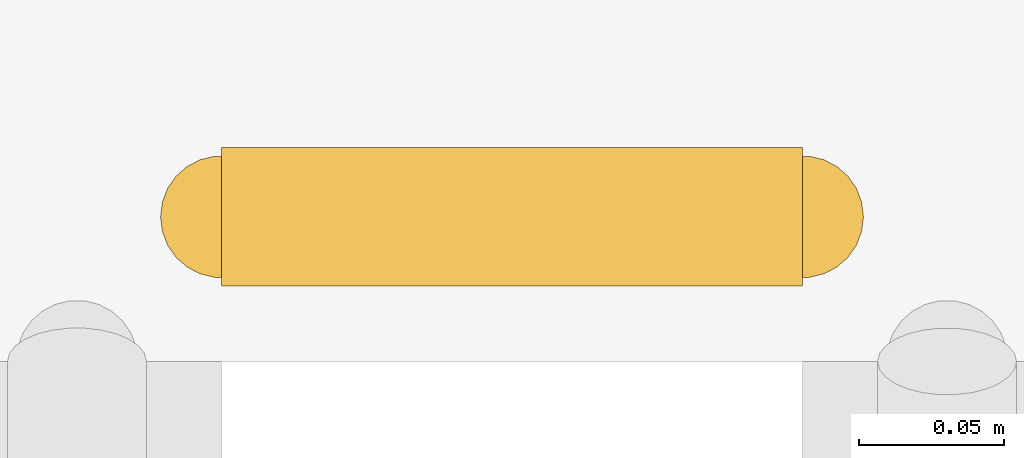
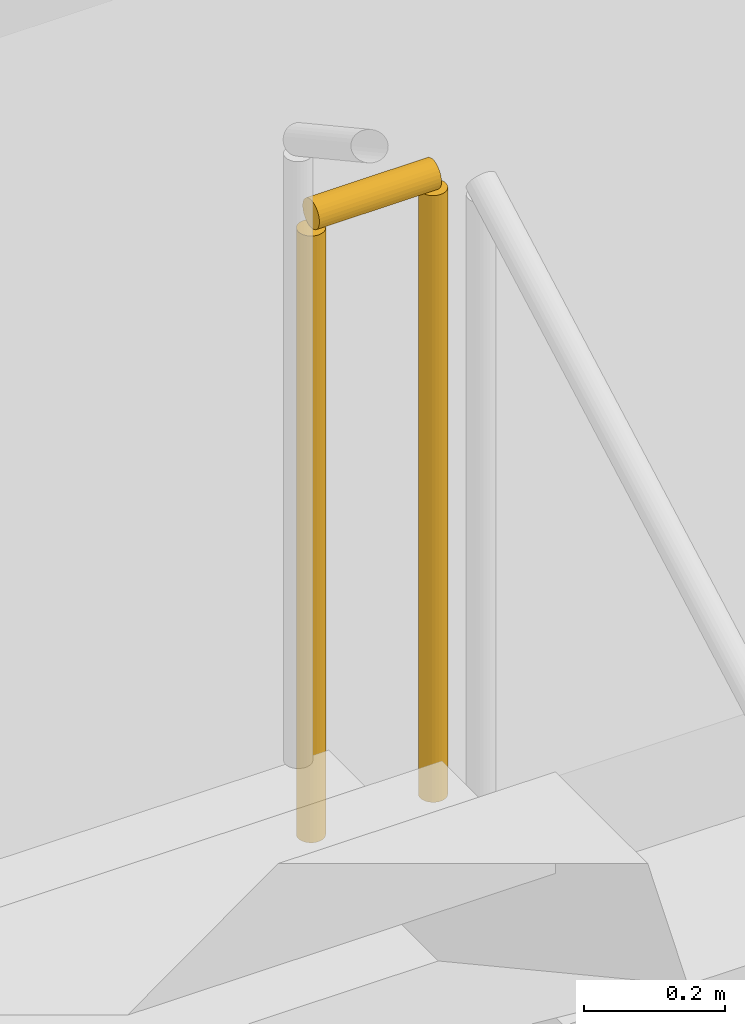
# One storey, part 75 of 84: 1 railing.
"""IFC4 building model written with IfcOpenShell, lengths in metres."""

from ifc_helpers import new_model, si_unit, direction, frame, origin, origin_2d, place, context, subcontext, project, spatial, circle, extrude, material, type_object, element, save


model = new_model("IFC4")

# Units and contexts
model_context = context("Model", 3, precision=1e-05, world=origin(), true_north=direction((0.0, 1.0)))
body_context = subcontext(model_context, "Body", "Model", "MODEL_VIEW")
ifc_project = project(units=[si_unit("LENGTHUNIT", "METRE"), si_unit("AREAUNIT", "SQUARE_METRE"), si_unit("VOLUMEUNIT", "CUBIC_METRE"), si_unit("PLANEANGLEUNIT", "RADIAN"), si_unit("MASSUNIT", "GRAM", prefix="KILO")], contexts=[model_context])

# Site, building, storey
site_placement = place(None, origin())
site = spatial("IfcSite", under=ifc_project, at=site_placement, CompositionType="ELEMENT")
building_placement = place(site_placement, origin())
building = spatial("IfcBuilding", under=site, at=building_placement, Name="Sefraquen Railside Congress Hotel", CompositionType="ELEMENT")
storey_placement = place(building_placement, origin())
storey = spatial("IfcBuildingStorey", under=building, at=storey_placement, Name="L00", CompositionType="ELEMENT", Elevation=0.0)

# Railing
ifc_material = material(Name="Patinated wrought architectural bronze", Category="metal")
railing_type = type_object("IfcRailingType", Name="TRL-BAL-110", PredefinedType="BALUSTRADE", material=ifc_material)
railing_placement = place(storey_placement, frame((28.080078125, 104.681884765625, 3.0)))
element("IfcRailing", 1, at=railing_placement, inside=storey, type_object=railing_type, Name="L00 ST-H02 stair guard 2", PredefinedType="BALUSTRADE", context=body_context, shape_type="SweptSolid", body=[
    extrude(circle(Radius=0.02392578125, at=origin_2d()), frame((0.0, 0.0, 1.076171875), z_axis=(-1.0, 0.0, 0.0), x_axis=(0.0, -1.0, 0.0)), (0.0, 0.0, 1.0), 0.2001953125),
    extrude(circle(Radius=0.02099609375, at=origin_2d()), origin(), (0.0, 0.0, 1.0), 1.052001953125),
    extrude(circle(Radius=0.02099609375, at=origin_2d()), frame((-0.2001953125, 0.0, 0.0)), (0.0, 0.0, 1.0), 1.052001953125),
])

save(model, "model.ifc")
